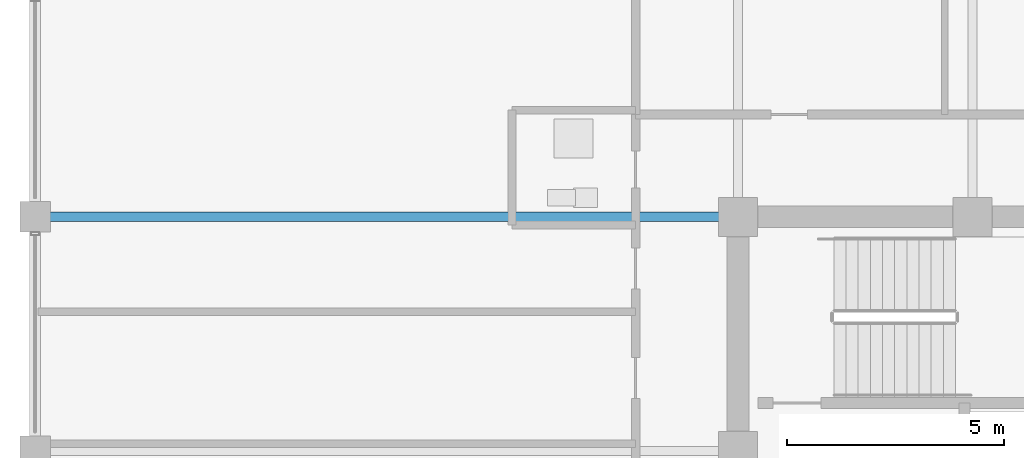
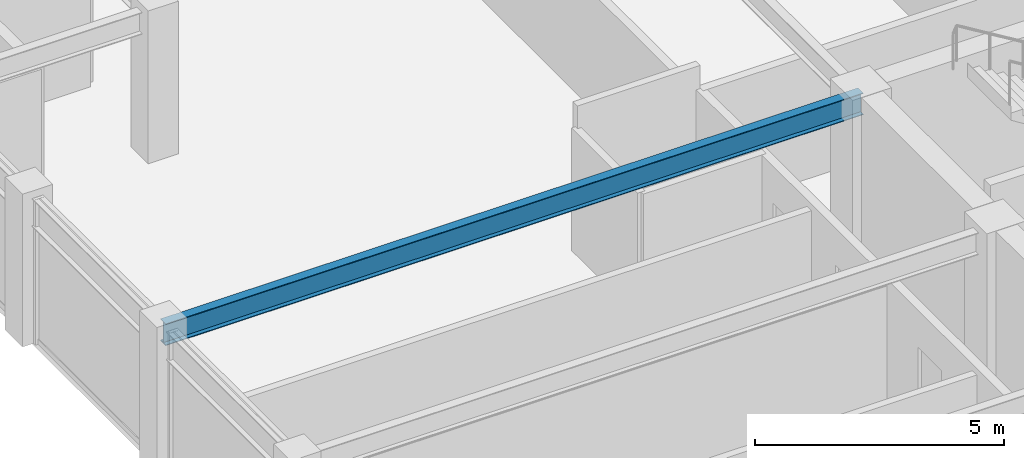
# One storey, part 15 of 30: 1 beam.
"""IFC4 building model written with IfcOpenShell, lengths in metres."""

from ifc_helpers import new_model, si_unit, direction, frame, origin, origin_2d, place, context, subcontext, project, spatial, i_section, extrude, material, material_profile, profile_set, type_object, element, save


model = new_model("IFC4")

# Units and contexts
model_context = context("Model", 3, precision=1e-05, world=origin(), true_north=direction((0.0, 1.0)))
body_context = subcontext(model_context, "Body", "Model", "MODEL_VIEW")
ifc_project = project(units=[si_unit("LENGTHUNIT", "METRE"), si_unit("AREAUNIT", "SQUARE_METRE"), si_unit("VOLUMEUNIT", "CUBIC_METRE"), si_unit("PLANEANGLEUNIT", "RADIAN"), si_unit("MASSUNIT", "GRAM", prefix="KILO")], contexts=[model_context])

# Site, building, storey
site_placement = place(None, origin())
site = spatial("IfcSite", under=ifc_project, at=site_placement, CompositionType="ELEMENT")
building_placement = place(site_placement, origin())
building = spatial("IfcBuilding", under=site, at=building_placement, Name="Surkhivell Harbour Commons", CompositionType="ELEMENT")
storey_placement = place(building_placement, frame((0.0, 0.0, 300.0)))
storey = spatial("IfcBuildingStorey", under=building, at=storey_placement, Name="L78", CompositionType="ELEMENT", Elevation=300.0)

# Beam
ifc_material = material(Name="Steel S355", Category="steel")
ifc_material_profile = material_profile(ifc_material, i_section(OverallWidth=0.2099609375, OverallDepth=0.537109375, WebThickness=0.0107421875, FlangeThickness=0.017333984375, at=origin_2d()), Name="UB533x210x101")
ifc_profile_set = profile_set([ifc_material_profile], Name="Steel S355")
beam_type = type_object("IfcBeamType", Name="BM-GRD-533B", PredefinedType="BEAM", material=ifc_profile_set)
beam_placement = place(storey_placement, frame((-27.0, 10.800048828125, 3.301513671875), z_axis=(1.0, 0.0, 0.0), x_axis=(0.0, 1.0, 0.0)))
element("IfcBeam", 1, at=beam_placement, inside=storey, type_object=beam_type, Name="L78 Floor Girder (-27.0,10.8)", PredefinedType="BEAM", context=body_context, shape_type="SweptSolid", body=[
    extrude(i_section(OverallWidth=0.2099609375, OverallDepth=0.537109375, WebThickness=0.0107421875, FlangeThickness=0.017333984375, at=origin_2d()), origin(), (0.0, 0.0, 1.0), 16.199951171875),
])

save(model, "model.ifc")
